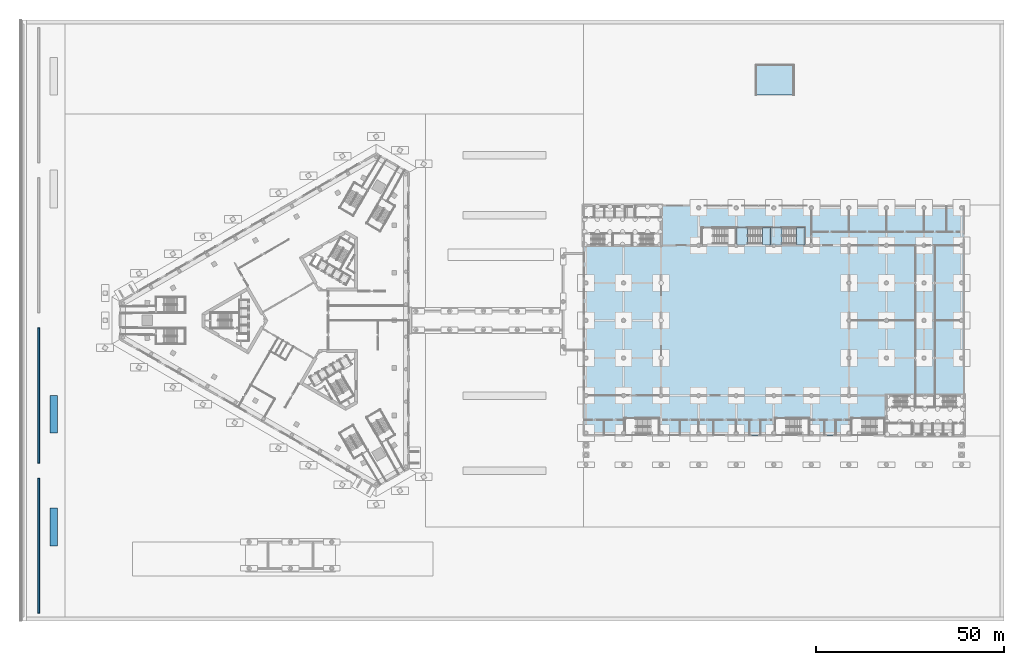
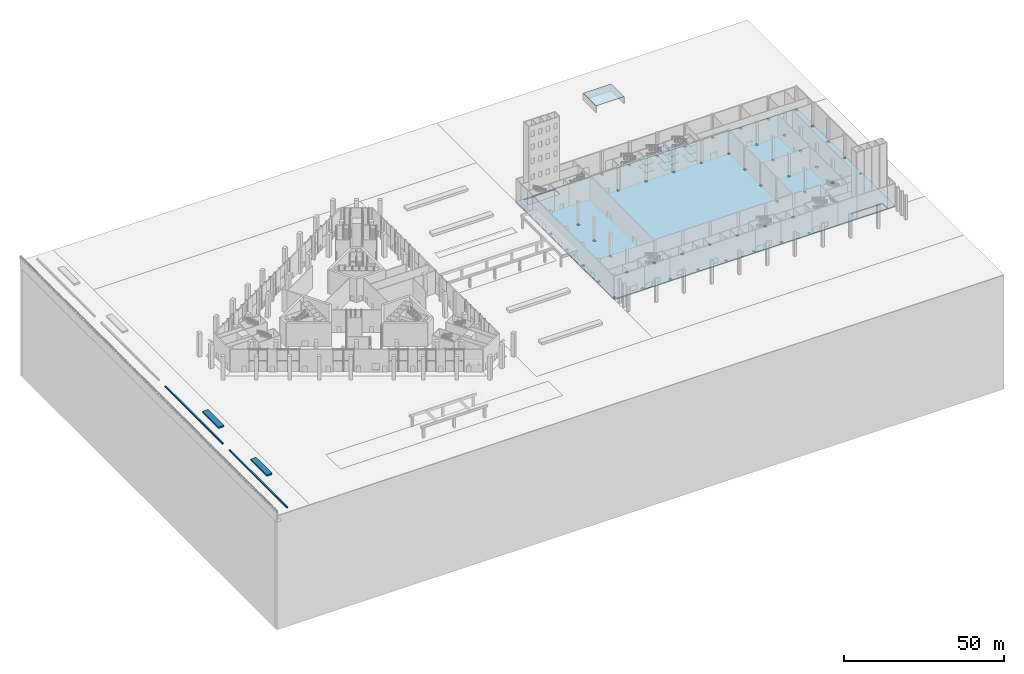
# One storey, part 22 of 63: 12 slabs, 4 walls, 2 elements without a shape of their own.
"""IFC4 building model written with IfcOpenShell, lengths in metres."""

from ifc_helpers import new_model, si_unit, direction, frame, frame_2d, origin, place, context, subcontext, project, spatial, polyline, rectangle, outline, extrude, material, layer, layer_set, type_object, element, aggregate, save


model = new_model("IFC4")

# Units and contexts
model_context = context("Model", 3, precision=1e-05, world=origin(), true_north=direction((0.0, 1.0)))
body_context = subcontext(model_context, "Body", "Model", "MODEL_VIEW")
ifc_project = project(units=[si_unit("LENGTHUNIT", "METRE"), si_unit("AREAUNIT", "SQUARE_METRE"), si_unit("VOLUMEUNIT", "CUBIC_METRE"), si_unit("PLANEANGLEUNIT", "RADIAN"), si_unit("MASSUNIT", "GRAM", prefix="KILO")], contexts=[model_context])

# Site, building, storey
site_placement = place(None, origin())
site = spatial("IfcSite", under=ifc_project, at=site_placement, CompositionType="ELEMENT")
building_placement = place(site_placement, origin())
building = spatial("IfcBuilding", under=site, at=building_placement, Name="Jabali Bay Hotel Tower and Convention Centre", CompositionType="ELEMENT")
storey_placement = place(building_placement, origin())
storey = spatial("IfcBuildingStorey", under=building, at=storey_placement, Name="L00", CompositionType="ELEMENT", Elevation=0.0)

# Slab
ifc_material_1 = material(Name="Concrete C40", Category="concrete")
ifc_layer_1 = layer(ifc_material_1, 0.409912109375)
ifc_layer_set_1 = layer_set([ifc_layer_1], Name="Concrete C40")
slab_type_1 = type_object("IfcSlabType", Name="CC Ground Slab 410", PredefinedType="BASESLAB", material=ifc_layer_set_1)
slab_1_placement = place(storey_placement, frame((0.0, 0.0, -0.409912109375)))
element("IfcSlab", 1, at=slab_1_placement, inside=storey, type_object=slab_type_1, Name="CC ground slab", PredefinedType="BASESLAB", context=body_context, shape_type="SweptSolid", body=[
    extrude(outline(polyline([(150.0, 49.300048828125), (251.39990234375, 49.300048828125), (251.39990234375, 110.699951171875), (150.0, 110.699951171875), (150.0, 49.300048828125)]), holes=[polyline([(180.300048828125, 49.60009765625), (180.300048828125, 50.39990234375), (181.10009765625, 50.39990234375), (181.10009765625, 49.60009765625), (180.300048828125, 49.60009765625)]), polyline([(150.300048828125, 49.60009765625), (150.300048828125, 50.39990234375), (151.10009765625, 50.39990234375), (151.10009765625, 49.60009765625), (150.300048828125, 49.60009765625)]), polyline([(170.300048828125, 49.60009765625), (170.300048828125, 50.39990234375), (171.10009765625, 50.39990234375), (171.10009765625, 49.60009765625), (170.300048828125, 49.60009765625)]), polyline([(160.300048828125, 49.60009765625), (160.300048828125, 50.39990234375), (161.10009765625, 50.39990234375), (161.10009765625, 49.60009765625), (160.300048828125, 49.60009765625)]), polyline([(150.300048828125, 59.60009765625), (150.300048828125, 60.39990234375), (151.10009765625, 60.39990234375), (151.10009765625, 59.60009765625), (150.300048828125, 59.60009765625)]), polyline([(170.300048828125, 59.60009765625), (170.300048828125, 60.39990234375), (171.10009765625, 60.39990234375), (171.10009765625, 59.60009765625), (170.300048828125, 59.60009765625)]), polyline([(160.300048828125, 59.60009765625), (160.300048828125, 60.39990234375), (161.10009765625, 60.39990234375), (161.10009765625, 59.60009765625), (160.300048828125, 59.60009765625)]), polyline([(150.300048828125, 70.39990234375), (151.10009765625, 70.39990234375), (151.10009765625, 69.60009765625), (150.300048828125, 69.60009765625), (150.300048828125, 70.39990234375)]), polyline([(160.300048828125, 70.39990234375), (161.10009765625, 70.39990234375), (161.10009765625, 69.60009765625), (160.300048828125, 69.60009765625), (160.300048828125, 70.39990234375)]), polyline([(150.300048828125, 79.60009765625), (150.300048828125, 80.39990234375), (151.10009765625, 80.39990234375), (151.10009765625, 79.60009765625), (150.300048828125, 79.60009765625)]), polyline([(160.300048828125, 79.60009765625), (160.300048828125, 80.39990234375), (161.10009765625, 80.39990234375), (161.10009765625, 79.60009765625), (160.300048828125, 79.60009765625)]), polyline([(160.300048828125, 89.60009765625), (160.300048828125, 90.39990234375), (161.10009765625, 90.39990234375), (161.10009765625, 89.60009765625), (160.300048828125, 89.60009765625)]), polyline([(150.300048828125, 89.60009765625), (150.300048828125, 90.39990234375), (151.10009765625, 90.39990234375), (151.10009765625, 89.60009765625), (150.300048828125, 89.60009765625)]), polyline([(163.875, 107.25), (152.875, 107.25), (152.875, 107.375), (152.75, 107.375), (152.75, 110.39990234375), (152.875, 110.39990234375), (153.0, 110.39990234375), (155.5, 110.39990234375), (155.75, 110.39990234375), (158.25, 110.39990234375), (158.5, 110.39990234375), (161.0, 110.39990234375), (161.25, 110.39990234375), (163.75, 110.39990234375), (163.875, 110.39990234375), (164.0, 110.39990234375), (164.0, 107.375), (163.875, 107.375), (163.875, 107.25)]), polyline([(220.300048828125, 49.60009765625), (220.300048828125, 50.39990234375), (221.10009765625, 50.39990234375), (221.10009765625, 49.60009765625), (220.300048828125, 49.60009765625)]), polyline([(190.300048828125, 50.39990234375), (191.10009765625, 50.39990234375), (191.10009765625, 49.60009765625), (190.300048828125, 49.60009765625), (190.300048828125, 50.39990234375)]), polyline([(210.300048828125, 50.39990234375), (211.10009765625, 50.39990234375), (211.10009765625, 49.60009765625), (210.300048828125, 49.60009765625), (210.300048828125, 50.39990234375)]), polyline([(200.300048828125, 49.60009765625), (200.300048828125, 50.39990234375), (201.10009765625, 50.39990234375), (201.10009765625, 49.60009765625), (200.300048828125, 49.60009765625)]), polyline([(180.300048828125, 59.60009765625), (180.300048828125, 60.39990234375), (181.10009765625, 60.39990234375), (181.10009765625, 59.60009765625), (180.300048828125, 59.60009765625)]), polyline([(190.300048828125, 59.60009765625), (190.300048828125, 60.39990234375), (191.10009765625, 60.39990234375), (191.10009765625, 59.60009765625), (190.300048828125, 59.60009765625)]), polyline([(220.300048828125, 59.60009765625), (220.300048828125, 60.39990234375), (221.10009765625, 60.39990234375), (221.10009765625, 59.60009765625), (220.300048828125, 59.60009765625)]), polyline([(210.300048828125, 59.60009765625), (210.300048828125, 60.39990234375), (211.10009765625, 60.39990234375), (211.10009765625, 59.60009765625), (210.300048828125, 59.60009765625)]), polyline([(200.300048828125, 59.60009765625), (200.300048828125, 60.39990234375), (201.10009765625, 60.39990234375), (201.10009765625, 59.60009765625), (200.300048828125, 59.60009765625)]), polyline([(230.300048828125, 69.60009765625), (230.300048828125, 70.39990234375), (231.10009765625, 70.39990234375), (231.10009765625, 69.60009765625), (230.300048828125, 69.60009765625)]), polyline([(220.300048828125, 70.39990234375), (221.10009765625, 70.39990234375), (221.10009765625, 69.60009765625), (220.300048828125, 69.60009765625), (220.300048828125, 70.39990234375)]), polyline([(220.300048828125, 80.39990234375), (221.10009765625, 80.39990234375), (221.10009765625, 79.60009765625), (220.300048828125, 79.60009765625), (220.300048828125, 80.39990234375)]), polyline([(220.300048828125, 89.60009765625), (220.300048828125, 90.39990234375), (221.10009765625, 90.39990234375), (221.10009765625, 89.60009765625), (220.300048828125, 89.60009765625)]), polyline([(200.300048828125, 99.60009765625), (200.300048828125, 100.39990234375), (201.10009765625, 100.39990234375), (201.10009765625, 99.60009765625), (200.300048828125, 99.60009765625)]), polyline([(210.300048828125, 99.60009765625), (210.300048828125, 100.39990234375), (211.10009765625, 100.39990234375), (211.10009765625, 99.60009765625), (210.300048828125, 99.60009765625)]), polyline([(220.300048828125, 99.60009765625), (220.300048828125, 100.39990234375), (221.10009765625, 100.39990234375), (221.10009765625, 99.60009765625), (220.300048828125, 99.60009765625)]), polyline([(190.300048828125, 99.60009765625), (190.300048828125, 100.39990234375), (191.10009765625, 100.39990234375), (191.10009765625, 99.60009765625), (190.300048828125, 99.60009765625)]), polyline([(180.300048828125, 99.60009765625), (180.300048828125, 100.39990234375), (181.10009765625, 100.39990234375), (181.10009765625, 99.60009765625), (180.300048828125, 99.60009765625)]), polyline([(200.300048828125, 109.60009765625), (200.300048828125, 110.39990234375), (201.10009765625, 110.39990234375), (201.10009765625, 109.60009765625), (200.300048828125, 109.60009765625)]), polyline([(210.300048828125, 110.39990234375), (211.10009765625, 110.39990234375), (211.10009765625, 109.60009765625), (210.300048828125, 109.60009765625), (210.300048828125, 110.39990234375)]), polyline([(190.300048828125, 110.39990234375), (191.10009765625, 110.39990234375), (191.10009765625, 109.60009765625), (190.300048828125, 109.60009765625), (190.300048828125, 110.39990234375)]), polyline([(220.300048828125, 109.60009765625), (220.300048828125, 110.39990234375), (221.10009765625, 110.39990234375), (221.10009765625, 109.60009765625), (220.300048828125, 109.60009765625)]), polyline([(180.300048828125, 109.60009765625), (180.300048828125, 110.39990234375), (181.10009765625, 110.39990234375), (181.10009765625, 109.60009765625), (180.300048828125, 109.60009765625)]), polyline([(230.300048828125, 109.60009765625), (230.300048828125, 110.39990234375), (231.10009765625, 110.39990234375), (231.10009765625, 109.60009765625), (230.300048828125, 109.60009765625)]), polyline([(248.64990234375, 52.625), (248.64990234375, 49.60009765625), (248.52490234375, 49.60009765625), (248.39990234375, 49.60009765625), (245.89990234375, 49.60009765625), (245.64990234375, 49.60009765625), (243.14990234375, 49.60009765625), (242.89990234375, 49.60009765625), (240.39990234375, 49.60009765625), (240.14990234375, 49.60009765625), (237.64990234375, 49.60009765625), (237.52490234375, 49.60009765625), (237.39990234375, 49.60009765625), (237.39990234375, 52.625), (237.52490234375, 52.625), (237.52490234375, 52.75), (248.52490234375, 52.75), (248.52490234375, 52.625), (248.64990234375, 52.625)]), polyline([(250.300048828125, 69.60009765625), (250.300048828125, 70.39990234375), (251.10009765625, 70.39990234375), (251.10009765625, 69.60009765625), (250.300048828125, 69.60009765625)]), polyline([(240.300048828125, 69.60009765625), (240.300048828125, 70.39990234375), (241.10009765625, 70.39990234375), (241.10009765625, 69.60009765625), (240.300048828125, 69.60009765625)]), polyline([(240.300048828125, 80.39990234375), (241.10009765625, 80.39990234375), (241.10009765625, 79.60009765625), (240.300048828125, 79.60009765625), (240.300048828125, 80.39990234375)]), polyline([(250.300048828125, 80.39990234375), (251.10009765625, 80.39990234375), (251.10009765625, 79.60009765625), (250.300048828125, 79.60009765625), (250.300048828125, 80.39990234375)]), polyline([(230.300048828125, 79.60009765625), (230.300048828125, 80.39990234375), (231.10009765625, 80.39990234375), (231.10009765625, 79.60009765625), (230.300048828125, 79.60009765625)]), polyline([(240.300048828125, 89.60009765625), (240.300048828125, 90.39990234375), (241.10009765625, 90.39990234375), (241.10009765625, 89.60009765625), (240.300048828125, 89.60009765625)]), polyline([(230.300048828125, 89.60009765625), (230.300048828125, 90.39990234375), (231.10009765625, 90.39990234375), (231.10009765625, 89.60009765625), (230.300048828125, 89.60009765625)]), polyline([(250.300048828125, 89.60009765625), (250.300048828125, 90.39990234375), (251.10009765625, 90.39990234375), (251.10009765625, 89.60009765625), (250.300048828125, 89.60009765625)]), polyline([(240.300048828125, 99.60009765625), (240.300048828125, 100.39990234375), (241.10009765625, 100.39990234375), (241.10009765625, 99.60009765625), (240.300048828125, 99.60009765625)]), polyline([(230.300048828125, 99.60009765625), (230.300048828125, 100.39990234375), (231.10009765625, 100.39990234375), (231.10009765625, 99.60009765625), (230.300048828125, 99.60009765625)]), polyline([(250.300048828125, 99.60009765625), (250.300048828125, 100.39990234375), (251.10009765625, 100.39990234375), (251.10009765625, 99.60009765625), (250.300048828125, 99.60009765625)]), polyline([(240.300048828125, 110.39990234375), (241.10009765625, 110.39990234375), (241.10009765625, 109.60009765625), (240.300048828125, 109.60009765625), (240.300048828125, 110.39990234375)]), polyline([(250.300048828125, 110.39990234375), (251.10009765625, 110.39990234375), (251.10009765625, 109.60009765625), (250.300048828125, 109.60009765625), (250.300048828125, 110.39990234375)])]), origin(), (0.0, 0.0, 1.0), 0.409912109375),
])

# Stair, slabs
stair_type = type_object("IfcStairType", Name="CC Dogleg Stair 1350", PredefinedType="HALF_TURN_STAIR", material=ifc_material_1)
stair_1_placement = place(storey_placement, origin())
stair_1 = element("IfcStair", 2, at=stair_1_placement, inside=storey, type_object=stair_type, Name="L00 North Exit Stair 2", PredefinedType="HALF_TURN_STAIR")
ifc_layer_2 = layer(ifc_material_1, 0.199951171875)
ifc_layer_set_2 = layer_set([ifc_layer_2], Name="Concrete C40")
slab_type_2 = type_object("IfcSlabType", Name="CC Stair Landing 200", PredefinedType="LANDING", material=ifc_layer_set_2)
slab_2_placement = place(storey_placement, frame((0.0, 0.0, 1.300048828125)))
slab_2 = element("IfcSlab", 3, at=slab_2_placement, type_object=slab_type_2, Name="CC-STN2 landing 1", PredefinedType="LANDING", context=body_context, shape_type="SweptSolid", body=[
    extrude(outline(polyline([(197.632080078125, 100.10009765625), (199.824951171875, 100.10009765625), (199.824951171875, 104.699951171875), (197.632080078125, 104.699951171875), (197.632080078125, 100.10009765625)])), origin(), (0.0, 0.0, 1.0), 0.199951171875),
])
slab_3_placement = place(storey_placement, frame((0.0, 0.0, 2.800048828125)))
slab_3 = element("IfcSlab", 4, at=slab_3_placement, type_object=slab_type_2, Name="CC-STN2 landing 2", PredefinedType="LANDING", context=body_context, shape_type="SweptSolid", body=[
    extrude(outline(polyline([(190.72509765625, 100.10009765625), (193.677978515625, 100.10009765625), (193.677978515625, 104.699951171875), (190.72509765625, 104.699951171875), (190.72509765625, 100.10009765625)])), origin(), (0.0, 0.0, 1.0), 0.199951171875),
])
slab_4_placement = place(storey_placement, frame((0.0, 0.0, 4.300048828125)))
slab_4 = element("IfcSlab", 5, at=slab_4_placement, type_object=slab_type_2, Name="CC-STN2 landing 3", PredefinedType="LANDING", context=body_context, shape_type="SweptSolid", body=[
    extrude(outline(polyline([(197.632080078125, 100.10009765625), (199.824951171875, 100.10009765625), (199.824951171875, 104.699951171875), (197.632080078125, 104.699951171875), (197.632080078125, 100.10009765625)])), origin(), (0.0, 0.0, 1.0), 0.199951171875),
])
slab_5_placement = place(storey_placement, frame((0.0, 0.0, 5.800048828125)))
slab_5 = element("IfcSlab", 6, at=slab_5_placement, type_object=slab_type_2, Name="CC-STN2 landing 4", PredefinedType="LANDING", context=body_context, shape_type="SweptSolid", body=[
    extrude(outline(polyline([(190.72509765625, 100.10009765625), (193.677978515625, 100.10009765625), (193.677978515625, 104.699951171875), (190.72509765625, 104.699951171875), (190.72509765625, 100.10009765625)])), origin(), (0.0, 0.0, 1.0), 0.199951171875),
])
slab_6_placement = place(storey_placement, frame((0.0, 0.0, 7.300048828125)))
slab_6 = element("IfcSlab", 7, at=slab_6_placement, type_object=slab_type_2, Name="CC-STN2 landing 5", PredefinedType="LANDING", context=body_context, shape_type="SweptSolid", body=[
    extrude(outline(polyline([(197.632080078125, 100.10009765625), (199.824951171875, 100.10009765625), (199.824951171875, 104.699951171875), (197.632080078125, 104.699951171875), (197.632080078125, 100.10009765625)])), origin(), (0.0, 0.0, 1.0), 0.199951171875),
])
aggregate(stair_1, [slab_2, slab_3, slab_4, slab_5, slab_6])

stair_2_placement = place(storey_placement, origin())
stair_2 = element("IfcStair", 8, at=stair_2_placement, inside=storey, type_object=stair_type, Name="L00 North Exit Stair 3", PredefinedType="HALF_TURN_STAIR")
slab_7_placement = place(storey_placement, frame((0.0, 0.0, 1.300048828125)))
slab_7 = element("IfcSlab", 9, at=slab_7_placement, type_object=slab_type_2, Name="CC-STN3 landing 1", PredefinedType="LANDING", context=body_context, shape_type="SweptSolid", body=[
    extrude(outline(polyline([(206.781982421875, 100.10009765625), (208.97509765625, 100.10009765625), (208.97509765625, 104.699951171875), (206.781982421875, 104.699951171875), (206.781982421875, 100.10009765625)])), origin(), (0.0, 0.0, 1.0), 0.199951171875),
])
slab_8_placement = place(storey_placement, frame((0.0, 0.0, 2.800048828125)))
slab_8 = element("IfcSlab", 10, at=slab_8_placement, type_object=slab_type_2, Name="CC-STN3 landing 2", PredefinedType="LANDING", context=body_context, shape_type="SweptSolid", body=[
    extrude(outline(polyline([(199.875, 100.10009765625), (202.827880859375, 100.10009765625), (202.827880859375, 104.699951171875), (199.875, 104.699951171875), (199.875, 100.10009765625)])), origin(), (0.0, 0.0, 1.0), 0.199951171875),
])
slab_9_placement = place(storey_placement, frame((0.0, 0.0, 4.300048828125)))
slab_9 = element("IfcSlab", 11, at=slab_9_placement, type_object=slab_type_2, Name="CC-STN3 landing 3", PredefinedType="LANDING", context=body_context, shape_type="SweptSolid", body=[
    extrude(outline(polyline([(206.781982421875, 100.10009765625), (208.97509765625, 100.10009765625), (208.97509765625, 104.699951171875), (206.781982421875, 104.699951171875), (206.781982421875, 100.10009765625)])), origin(), (0.0, 0.0, 1.0), 0.199951171875),
])
slab_10_placement = place(storey_placement, frame((0.0, 0.0, 5.800048828125)))
slab_10 = element("IfcSlab", 12, at=slab_10_placement, type_object=slab_type_2, Name="CC-STN3 landing 4", PredefinedType="LANDING", context=body_context, shape_type="SweptSolid", body=[
    extrude(outline(polyline([(199.875, 100.10009765625), (202.827880859375, 100.10009765625), (202.827880859375, 104.699951171875), (199.875, 104.699951171875), (199.875, 100.10009765625)])), origin(), (0.0, 0.0, 1.0), 0.199951171875),
])
slab_11_placement = place(storey_placement, frame((0.0, 0.0, 7.300048828125)))
slab_11 = element("IfcSlab", 13, at=slab_11_placement, type_object=slab_type_2, Name="CC-STN3 landing 5", PredefinedType="LANDING", context=body_context, shape_type="SweptSolid", body=[
    extrude(outline(polyline([(206.781982421875, 100.10009765625), (208.97509765625, 100.10009765625), (208.97509765625, 104.699951171875), (206.781982421875, 104.699951171875), (206.781982421875, 100.10009765625)])), origin(), (0.0, 0.0, 1.0), 0.199951171875),
])
aggregate(stair_2, [slab_7, slab_8, slab_9, slab_10, slab_11])

# Slab
ifc_material_2 = material(Name="Concrete C30", Category="concrete")
ifc_layer_3 = layer(ifc_material_2, 0.14990234375)
ifc_layer_set_3 = layer_set([ifc_layer_3], Name="Concrete C30")
slab_type_3 = type_object("IfcSlabType", Name="SI Refuse Store Roof Slab 150", PredefinedType="ROOF", material=ifc_layer_set_3)
slab_12_placement = place(storey_placement, frame((0.0, 0.0, 2.39990234375)))
element("IfcSlab", 14, at=slab_12_placement, inside=storey, type_object=slab_type_3, Name="Refuse store roof slab", PredefinedType="ROOF", context=body_context, shape_type="SweptSolid", body=[
    extrude(outline(polyline([(206.10009765625, 140.0), (206.10009765625, 148.10009765625), (195.89990234375, 148.10009765625), (195.89990234375, 140.0), (206.10009765625, 140.0)])), origin(), (0.0, 0.0, 1.0), 0.150146484375),
])

# Walls
ifc_layer_4 = layer(ifc_material_2, 2.0)
ifc_layer_set_4 = layer_set([ifc_layer_4], Name="Concrete C30")
wall_type_1 = type_object("IfcWallType", Name="SI Planter Wall 2000", PredefinedType="SOLIDWALL", material=ifc_layer_set_4)
for number, where, z_axis, x_axis, name in (
    (15, (9.0, 20.0, 0.0), (0.0, 0.0, 1.0), (0.0, 1.0, 0.0), "Promenade planter 1"),
    (16, (9.0, 50.0, 0.0), (0.0, 0.0, 1.0), (0.0, 1.0, 0.0), "Promenade planter 2"),
):
    element("IfcWall", number, at=place(storey_placement, frame(where, z_axis=z_axis, x_axis=x_axis)), inside=storey, type_object=wall_type_1, Name=name, PredefinedType="SOLIDWALL", context=body_context, shape_type="SweptSolid", body=[
        extrude(rectangle(XDim=10.0, YDim=2.0, at=frame_2d((5.0, 0.0))), origin(), (0.0, 0.0, 1.0), 0.60009765625),
    ])
ifc_layer_5 = layer(ifc_material_2, 0.449951171875)
ifc_layer_set_5 = layer_set([ifc_layer_5], Name="Concrete C30")
wall_type_2 = type_object("IfcWallType", Name="SI Promenade Seat Wall 450", PredefinedType="SOLIDWALL", material=ifc_layer_set_5)
for number, where, z_axis, x_axis, name in (
    (17, (5.0, 2.0, 0.0), (0.0, 0.0, 1.0), (0.0, 1.0, 0.0), "Promenade seat wall 1"),
    (18, (5.0, 42.0, 0.0), (0.0, 0.0, 1.0), (0.0, 1.0, 0.0), "Promenade seat wall 2"),
):
    element("IfcWall", number, at=place(storey_placement, frame(where, z_axis=z_axis, x_axis=x_axis)), inside=storey, type_object=wall_type_2, Name=name, PredefinedType="SOLIDWALL", context=body_context, shape_type="SweptSolid", body=[
        extrude(rectangle(XDim=36.0, YDim=0.449951171875, at=frame_2d((18.0, 0.0))), origin(), (0.0, 0.0, 1.0), 0.449951171875),
    ])

save(model, "model.ifc")
